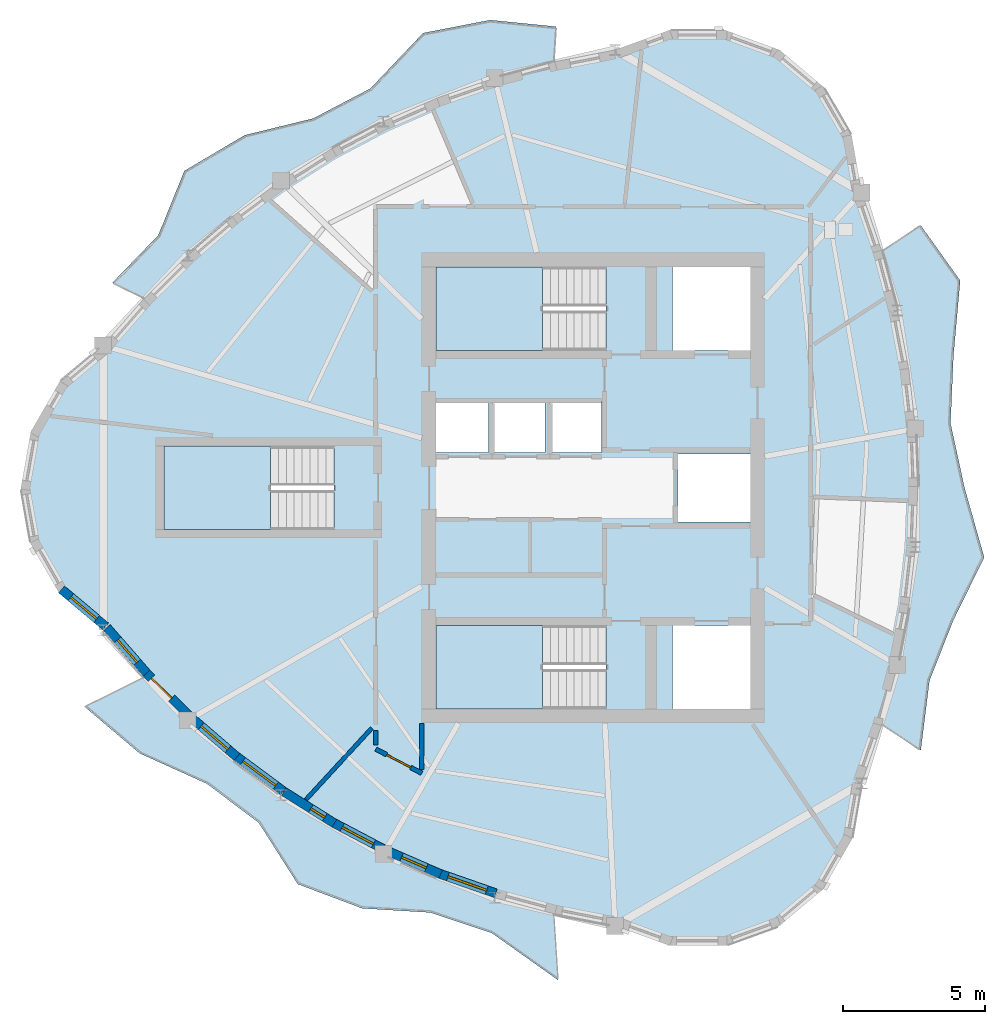
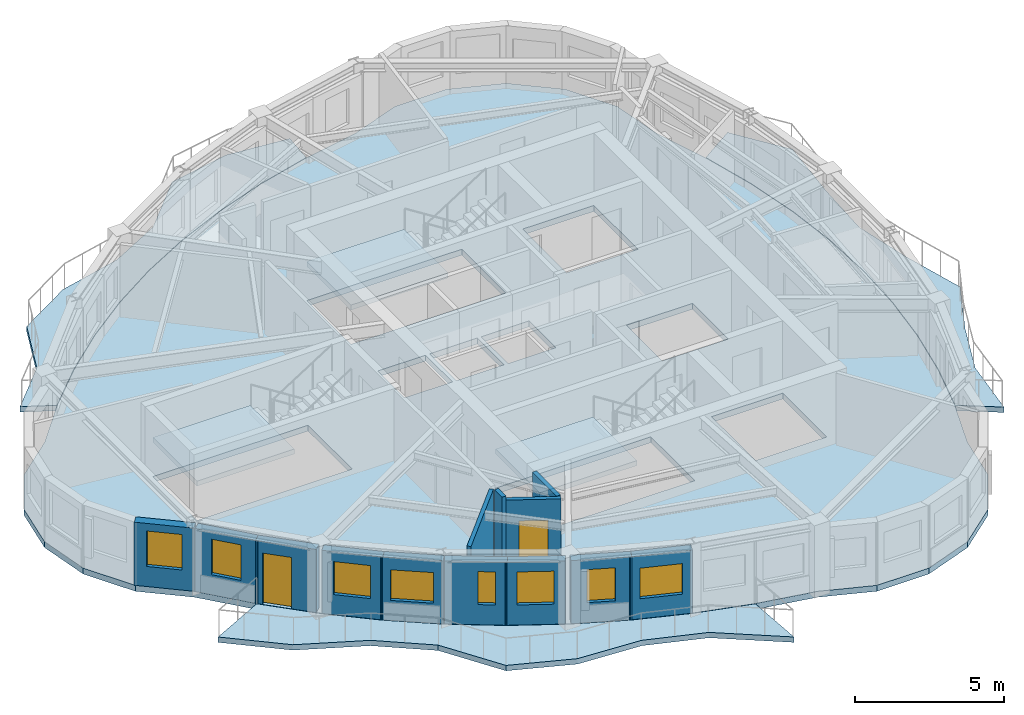
# One storey, part 2 of 11: 13 walls, 8 windows, 7 slabs, 2 doors, 10 openings, 3 elements without a shape of their own.
"""IFC4 building model written with IfcOpenShell, lengths in metres."""

from ifc_helpers import new_model, si_unit, direction, frame, frame_2d, origin, place, context, subcontext, project, spatial, polyline, rectangle, outline, extrude, source, transform, mapped, material, layer, layer_set, type_object, element, fill, aggregate, save


model = new_model("IFC4")

# Units and contexts
model_context = context("Model", 3, precision=1e-05, world=origin(), true_north=direction((0.0, 1.0)))
body_context = subcontext(model_context, "Body", "Model", "MODEL_VIEW")
ifc_project = project(units=[si_unit("LENGTHUNIT", "METRE"), si_unit("AREAUNIT", "SQUARE_METRE"), si_unit("VOLUMEUNIT", "CUBIC_METRE"), si_unit("PLANEANGLEUNIT", "RADIAN"), si_unit("MASSUNIT", "GRAM", prefix="KILO")], contexts=[model_context])

# Site, building, storey
site_placement = place(None, origin())
site = spatial("IfcSite", under=ifc_project, at=site_placement, CompositionType="ELEMENT")
building_placement = place(site_placement, origin())
building = spatial("IfcBuilding", under=site, at=building_placement, Name="Qafzar Sky-Pleat Residences", CompositionType="ELEMENT")
storey_placement = place(building_placement, frame((0.0, 0.0, 227.60009765625)))
storey = spatial("IfcBuildingStorey", under=building, at=storey_placement, Name="L68", CompositionType="ELEMENT", Elevation=227.60009765625)

# Slabs
ifc_material_1 = material(Name="Concrete C40/50", Category="concrete")
ifc_layer_1 = layer(ifc_material_1, 0.219970703125)
ifc_layer_set_1 = layer_set([ifc_layer_1], Name="Concrete C40/50")
slab_type_1 = type_object("IfcSlabType", Name="SLAB-BAL-220", PredefinedType="USERDEFINED", material=ifc_layer_set_1)
slab_1_placement = place(storey_placement, frame((0.0, 0.0, -0.22021484375)))
element("IfcSlab", 1, at=slab_1_placement, inside=storey, type_object=slab_type_1, Name="L68 Pleated Stone Balcony 1", ObjectType="BALCONY", PredefinedType="USERDEFINED", context=body_context, shape_type="SweptSolid", body=[
    extrude(outline(polyline([(41.101806640625, 19.736083984375), (41.498779296875, 21.823974609375), (41.737060546875, 23.911865234375), (41.81640625, 26.0), (41.737060546875, 28.088134765625), (41.498779296875, 30.176025390625), (41.101806640625, 32.263916015625), (40.5458984375, 34.3515625), (41.909423828125, 35.25927734375), (43.30126953125, 33.315673828125), (43.063720703125, 30.66015625), (42.9609375, 28.274169921875), (43.454345703125, 26.0), (44.1474609375, 23.54541015625), (43.063720703125, 21.33984375), (42.218505859375, 19.201904296875), (41.909423828125, 16.74072265625), (40.5458984375, 17.6484375), (41.101806640625, 19.736083984375)])), origin(), (0.0, 0.0, 1.0), 0.22021484375),
])
slab_2_placement = place(storey_placement, frame((0.0, 0.0, -0.22021484375)))
element("IfcSlab", 2, at=slab_2_placement, inside=storey, type_object=slab_type_1, Name="L68 Pleated Stone Balcony 2", ObjectType="BALCONY", PredefinedType="USERDEFINED", context=body_context, shape_type="SweptSolid", body=[
    extrude(outline(polyline([(26.873779296875, 40.478515625), (24.8671875, 39.7783203125), (22.939697265625, 38.940673828125), (21.091796875, 37.96533203125), (19.3232421875, 36.8525390625), (17.634033203125, 35.602294921875), (16.0244140625, 34.214599609375), (14.494140625, 32.689208984375), (13.385009765625, 33.23876953125), (15.00341796875, 34.914794921875), (15.924072265625, 37.186279296875), (18.050537109375, 38.4443359375), (20.472900390625, 39.03759765625), (22.489013671875, 40.09375), (24.350341796875, 42.051025390625), (26.7158203125, 42.51025390625), (29.03857421875, 42.276611328125), (28.959716796875, 41.041015625), (26.873779296875, 40.478515625)])), origin(), (0.0, 0.0, 1.0), 0.22021484375),
])
slab_3_placement = place(storey_placement, frame((0.0, 0.0, -0.22021484375)))
element("IfcSlab", 3, at=slab_3_placement, inside=storey, type_object=slab_type_1, Name="L68 Pleated Stone Balcony 3", ObjectType="BALCONY", PredefinedType="USERDEFINED", context=body_context, shape_type="SweptSolid", body=[
    extrude(outline(polyline([(16.0244140625, 17.785400390625), (17.634033203125, 16.397705078125), (19.3232421875, 15.1474609375), (21.091796875, 14.03466796875), (22.939697265625, 13.059326171875), (24.8671875, 12.2216796875), (26.873779296875, 11.521484375), (28.959716796875, 10.958984375), (29.108154296875, 8.6328125), (26.77783203125, 10.287353515625), (24.5927734375, 11.014404296875), (22.197509765625, 11.161376953125), (19.926513671875, 12.01611328125), (18.550048828125, 14.180419921875), (16.725830078125, 15.556396484375), (14.34375, 16.6328125), (12.405517578125, 18.276123046875), (14.494140625, 19.310791015625), (16.0244140625, 17.785400390625)])), origin(), (0.0, 0.0, 1.0), 0.22021484375),
])
ifc_layer_2 = layer(ifc_material_1, 0.239990234375)
ifc_layer_set_2 = layer_set([ifc_layer_2], Name="Concrete C40/50")
slab_type_2 = type_object("IfcSlabType", Name="SLAB-FLR-240", PredefinedType="FLOOR", material=ifc_layer_set_2)
slab_4_placement = place(storey_placement, frame((0.0, 0.0, -0.239990234375)))
element("IfcSlab", 4, at=slab_4_placement, inside=storey, type_object=slab_type_2, Name="L68 Structural Floor Slab", PredefinedType="FLOOR", context=body_context, shape_type="SweptSolid", body=[
    extrude(outline(polyline([(13.054931640625, 31.02294921875), (11.511962890625, 29.728271484375), (10.5048828125, 27.983642578125), (10.155029296875, 26.0), (10.5048828125, 24.016357421875), (11.511962890625, 22.271728515625), (13.054931640625, 20.97705078125), (14.5048828125, 19.31591796875), (16.0341796875, 17.792236328125), (17.642822265625, 16.406005859375), (19.330810546875, 15.15673828125), (21.097900390625, 14.044921875), (22.944091796875, 13.070556640625), (24.869873046875, 12.2333984375), (26.874755859375, 11.533447265625), (28.958984375, 10.970947265625), (31.12255859375, 10.5458984375), (33.015380859375, 9.856689453125), (35.02978515625, 9.856689453125), (36.922607421875, 10.5458984375), (38.465576171875, 11.840576171875), (39.47265625, 13.5849609375), (39.822509765625, 15.568603515625), (40.535888671875, 17.655029296875), (41.0908203125, 19.7412109375), (41.4873046875, 21.827392578125), (41.72509765625, 23.913818359375), (41.804443359375, 26.0), (41.72509765625, 28.086181640625), (41.4873046875, 30.172607421875), (41.0908203125, 32.2587890625), (40.535888671875, 34.344970703125), (39.822509765625, 36.431396484375), (39.47265625, 38.4150390625), (38.465576171875, 40.159423828125), (36.922607421875, 41.4541015625), (35.02978515625, 42.143310546875), (33.015380859375, 42.143310546875), (31.12255859375, 41.4541015625), (28.958984375, 41.029052734375), (26.874755859375, 40.466552734375), (24.869873046875, 39.7666015625), (22.944091796875, 38.929443359375), (21.097900390625, 37.955078125), (19.330810546875, 36.84326171875), (17.642822265625, 35.593994140625), (16.0341796875, 34.207763671875), (14.5048828125, 32.68408203125), (13.054931640625, 31.02294921875)]), holes=[polyline([(30.797119140625, 21.14990234375), (24.800048828125, 21.14990234375), (24.800048828125, 18.199951171875), (30.797119140625, 18.199951171875), (30.797119140625, 21.14990234375)]), polyline([(30.797119140625, 33.800048828125), (24.800048828125, 33.800048828125), (24.800048828125, 30.85009765625), (30.797119140625, 30.85009765625), (30.797119140625, 33.800048828125)]), polyline([(21.197021484375, 27.47509765625), (15.199951171875, 27.47509765625), (15.199951171875, 24.52490234375), (21.197021484375, 24.52490234375), (21.197021484375, 27.47509765625)]), polyline([(24.800048828125, 27.25), (26.64990234375, 27.25), (26.64990234375, 29.050048828125), (24.800048828125, 29.050048828125), (24.800048828125, 27.25)]), polyline([(26.800048828125, 27.25), (28.64990234375, 27.25), (28.64990234375, 29.050048828125), (26.800048828125, 29.050048828125), (26.800048828125, 27.25)]), polyline([(28.800048828125, 27.25), (30.64990234375, 27.25), (30.64990234375, 29.050048828125), (28.800048828125, 29.050048828125), (28.800048828125, 27.25)]), polyline([(33.14990234375, 18.199951171875), (35.89990234375, 18.199951171875), (35.89990234375, 21.14990234375), (33.14990234375, 21.14990234375), (33.14990234375, 18.199951171875)]), polyline([(33.14990234375, 30.85009765625), (35.89990234375, 30.85009765625), (35.89990234375, 33.800048828125), (33.14990234375, 33.800048828125), (33.14990234375, 30.85009765625)]), polyline([(33.35009765625, 24.800048828125), (35.89990234375, 24.800048828125), (35.89990234375, 27.199951171875), (33.35009765625, 27.199951171875), (33.35009765625, 24.800048828125)])]), origin(), (0.0, 0.0, 1.0), 0.239990234375),
])

# Stair, slab
stair_type = type_object("IfcStairType", Name="STAIR-H320", PredefinedType="HALF_TURN_STAIR", material=ifc_material_1)
stair_1_placement = place(storey_placement, origin())
stair_1 = element("IfcStair", 5, at=stair_1_placement, inside=storey, type_object=stair_type, Name="L68 Protected Exit Stair ST1", PredefinedType="HALF_TURN_STAIR")
ifc_layer_3 = layer(ifc_material_1, 0.199951171875)
ifc_layer_set_3 = layer_set([ifc_layer_3], Name="Concrete C40/50")
slab_type_3 = type_object("IfcSlabType", Name="SLAB-LANDING-200", PredefinedType="LANDING", material=ifc_layer_set_3)
slab_5_placement = place(storey_placement, frame((0.0, 0.0, 1.39990234375)))
slab_5 = element("IfcSlab", 6, at=slab_5_placement, type_object=slab_type_3, Name="ST1 landing 1", PredefinedType="LANDING", context=body_context, shape_type="SweptSolid", body=[
    extrude(outline(polyline([(28.56005859375, 21.14990234375), (24.800048828125, 21.14990234375), (24.800048828125, 18.199951171875), (28.56005859375, 18.199951171875), (28.56005859375, 21.14990234375)])), origin(), (0.0, 0.0, 1.0), 0.199951171875),
])
aggregate(stair_1, [slab_5])

stair_2_placement = place(storey_placement, origin())
stair_2 = element("IfcStair", 7, at=stair_2_placement, inside=storey, type_object=stair_type, Name="L68 Protected Exit Stair ST2", PredefinedType="HALF_TURN_STAIR")
slab_6_placement = place(storey_placement, frame((0.0, 0.0, 1.39990234375)))
slab_6 = element("IfcSlab", 8, at=slab_6_placement, type_object=slab_type_3, Name="ST2 landing 1", PredefinedType="LANDING", context=body_context, shape_type="SweptSolid", body=[
    extrude(outline(polyline([(28.56005859375, 33.800048828125), (24.800048828125, 33.800048828125), (24.800048828125, 30.85009765625), (28.56005859375, 30.85009765625), (28.56005859375, 33.800048828125)])), origin(), (0.0, 0.0, 1.0), 0.199951171875),
])
aggregate(stair_2, [slab_6])

stair_3_placement = place(storey_placement, origin())
stair_3 = element("IfcStair", 9, at=stair_3_placement, inside=storey, type_object=stair_type, Name="L68 Protected Exit Stair ST3", PredefinedType="HALF_TURN_STAIR")
slab_7_placement = place(storey_placement, frame((0.0, 0.0, 1.39990234375)))
slab_7 = element("IfcSlab", 10, at=slab_7_placement, type_object=slab_type_3, Name="ST3 landing 1", PredefinedType="LANDING", context=body_context, shape_type="SweptSolid", body=[
    extrude(outline(polyline([(18.9599609375, 27.47509765625), (15.199951171875, 27.47509765625), (15.199951171875, 24.52490234375), (18.9599609375, 24.52490234375), (18.9599609375, 27.47509765625)])), origin(), (0.0, 0.0, 1.0), 0.199951171875),
])
aggregate(stair_3, [slab_7])

# Wall, opening, door
ifc_material_2 = material(Name="Acoustic gypsum plasterboard partition", Category="gypsum")
ifc_layer_4 = layer(ifc_material_2, 0.159912109375)
ifc_layer_set_4 = layer_set([ifc_layer_4], Name="Acoustic gypsum plasterboard partition")
wall_type_1 = type_object("IfcWallType", Name="PART-COR-160", PredefinedType="PARTITIONING", material=ifc_layer_set_4)
wall_1_placement = place(storey_placement, frame((22.679931640625, 16.782958984375, 0.0), z_axis=(0.0, 0.0, 1.0), x_axis=(0.884403090344, -0.466723873174, 0.0)))
wall_1 = element("IfcWall", 11, at=wall_1_placement, inside=storey, type_object=wall_type_1, Name="L68 Partition Wall PART-L68-PW-008", PredefinedType="PARTITIONING", context=body_context, shape_type="SweptSolid", body=[
    extrude(rectangle(XDim=1.831787109375, YDim=0.159912109375, at=frame_2d((0.916015625, 0.0))), origin(), (0.0, 0.0, 1.0), 2.9599609375),
])
opening_1_placement = place(wall_1_placement, frame((0.435791015625, 0.0, 0.0)))
opening_1 = element("IfcOpeningElement", 12, at=opening_1_placement, cuts=wall_1, Name="Opening ID-06", PredefinedType="OPENING", context=body_context, shape_type="SweptSolid", body=[
    extrude(rectangle(XDim=0.9599609375, YDim=2.10009765625, at=frame_2d((0.47998046875, 1.050048828125))), frame((0.0, 0.08984375, 0.0), z_axis=(0.0, -1.0, 0.0), x_axis=(1.0, 0.0, 0.0)), (0.0, 0.0, 1.0), 0.179931640625),
])
ifc_material_3 = material(Name="Timber-faced fire door", Category="wood")
door_type_1 = type_object("IfcDoorType", Name="DR-STD-960", OperationType="NOTDEFINED", PredefinedType="DOOR", material=ifc_material_3)
shared_shape_1 = source(origin(), body_context, "Body", "SweptSolid", [
    extrude(rectangle(XDim=0.9599609375, YDim=2.10009765625, at=frame_2d((0.47998046875, 1.050048828125))), frame((0.0, 0.02490234375, 0.0), z_axis=(0.0, -1.0, 0.0), x_axis=(1.0, 0.0, 0.0)), (0.0, 0.0, 1.0), 0.050048828125),
])
door_1_placement = place(opening_1_placement, origin())
door_1 = element("IfcDoor", 13, at=door_1_placement, inside=storey, type_object=door_type_1, Name="L68 Scholar Co-Working Workspace Door", OperationType="SINGLE_SWING_RIGHT", OverallHeight=2.10009765625, OverallWidth=0.9599609375, PredefinedType="DOOR", context=body_context, shape_type="MappedRepresentation", body=[
    mapped(shared_shape_1, transform((0.0, 0.0, 0.0), x_axis=(1.0, 0.0, 0.0), y_axis=(0.0, 1.0, 0.0), z_axis=(0.0, 0.0, 1.0), scale=1.0)),
])
fill(opening_1, door_1)

# Walls
wall_2_placement = place(storey_placement, frame((24.300048828125, 16.068603515625, 0.0), z_axis=(0.0, 0.0, 1.0), x_axis=(0.0, 1.0, 0.0)))
element("IfcWall", 14, at=wall_2_placement, inside=storey, type_object=wall_type_1, Name="L68 Partition Wall PART-L68-PW-021", PredefinedType="PARTITIONING", context=body_context, shape_type="SweptSolid", body=[
    extrude(rectangle(XDim=1.623291015625, YDim=0.159912109375, at=frame_2d((0.8115234375, 0.0))), origin(), (0.0, 0.0, 1.0), 2.9599609375),
])
wall_3_placement = place(storey_placement, frame((22.679931640625, 16.923583984375, 0.0), z_axis=(0.0, 0.0, 1.0), x_axis=(0.0, 1.0, 0.0)))
element("IfcWall", 15, at=wall_3_placement, inside=storey, type_object=wall_type_1, Name="L68 Partition Wall PART-L68-PW-028", PredefinedType="PARTITIONING", context=body_context, shape_type="SweptSolid", body=[
    extrude(rectangle(XDim=0.5126953125, YDim=0.159912109375, at=frame_2d((0.25634765625, 0.0))), origin(), (0.0, 0.0, 1.0), 2.9599609375),
])
ifc_layer_5 = layer(ifc_material_2, 0.14501953125)
ifc_layer_set_5 = layer_set([ifc_layer_5], Name="Acoustic gypsum plasterboard partition")
wall_type_2 = type_object("IfcWallType", Name="PART-UNIT-145", PredefinedType="PARTITIONING", material=ifc_layer_set_5)
wall_4_placement = place(storey_placement, frame((20.21728515625, 15.001953125, 0.0), z_axis=(0.0, 0.0, 1.0), x_axis=(0.677579120291, 0.735449886631, 0.0)))
element("IfcWall", 16, at=wall_4_placement, inside=storey, type_object=wall_type_2, Name="L68 Partition Wall PART-L68-PW-016", PredefinedType="PARTITIONING", context=body_context, shape_type="SweptSolid", body=[
    extrude(rectangle(XDim=3.429931640625, YDim=0.14501953125, at=frame_2d((1.71484375, 0.0))), origin(), (0.0, 0.0, 1.0), 2.9599609375),
])

# Wall, opening, window
ifc_material_4 = material(Name="Precast concrete C40/50 with honed Riyadh limestone", Category="concrete")
ifc_layer_6 = layer(ifc_material_4, 0.320068359375)
ifc_layer_set_6 = layer_set([ifc_layer_6], Name="Precast concrete C40/50 with honed Riyadh limestone")
wall_type_3 = type_object("IfcWallType", Name="WALL-EXT-320", PredefinedType="SOLIDWALL", material=ifc_layer_set_6)
wall_5_placement = place(storey_placement, frame((11.585693359375, 22.418701171875, 0.0), z_axis=(0.0, 0.0, 1.0), x_axis=(0.766099948115, -0.642721455608, 0.0)))
wall_5 = element("IfcWall", 17, at=wall_5_placement, inside=storey, type_object=wall_type_3, Name="L68 Limestone Facade Wall 6", PredefinedType="SOLIDWALL", context=body_context, shape_type="SweptSolid", body=[
    extrude(rectangle(XDim=2.0322265625, YDim=0.320068359375, at=frame_2d((1.01611328125, 0.0))), origin(), (0.0, 0.0, 1.0), 2.579833984375),
])
opening_2_placement = place(wall_5_placement, frame((0.42626953125, 0.0, 0.820068359375)))
opening_2 = element("IfcOpeningElement", 18, at=opening_2_placement, cuts=wall_5, Name="Opening WN-05", PredefinedType="OPENING", context=body_context, shape_type="SweptSolid", body=[
    extrude(rectangle(XDim=1.199951171875, YDim=1.449951171875, at=frame_2d((0.60009765625, 0.72509765625))), frame((0.0, 0.169921875, 0.0), z_axis=(0.0, -1.0, 0.0), x_axis=(1.0, 0.0, 0.0)), (0.0, 0.0, 1.0), 0.340087890625),
])
ifc_material_5 = material(Name="Solar-control low-E glass in bronze aluminium frame", Category="glass")
window_type_1 = type_object("IfcWindowType", Name="WIN-05", PartitioningType="SINGLE_PANEL", PredefinedType="WINDOW", material=ifc_material_5)
shared_shape_2 = source(origin(), body_context, "Body", "SweptSolid", [
    extrude(rectangle(XDim=1.199951171875, YDim=1.449951171875, at=frame_2d((0.60009765625, 0.72509765625))), frame((0.0, 0.030029296875, 0.0), z_axis=(0.0, -1.0, 0.0), x_axis=(1.0, 0.0, 0.0)), (0.0, 0.0, 1.0), 0.06005859375),
])
window_1_placement = place(opening_2_placement, origin())
window_1 = element("IfcWindow", 19, at=window_1_placement, inside=storey, type_object=window_type_1, Name="L68 Punched Facade Window 06", OverallHeight=1.449951171875, OverallWidth=1.199951171875, PartitioningType="SINGLE_PANEL", PredefinedType="WINDOW", context=body_context, shape_type="MappedRepresentation", body=[
    mapped(shared_shape_2, transform((0.0, 0.0, 0.0), x_axis=(1.0, 0.0, 0.0), y_axis=(0.0, 1.0, 0.0), z_axis=(0.0, 0.0, 1.0), scale=1.0)),
])
fill(opening_2, window_1)

wall_6_placement = place(storey_placement, frame((13.188720703125, 21.0673828125, 0.0), z_axis=(0.0, 0.0, 1.0), x_axis=(0.657539914165, -0.753419711236, 0.0)))
wall_6 = element("IfcWall", 20, at=wall_6_placement, inside=storey, type_object=wall_type_3, Name="L68 Limestone Facade Wall 7", PredefinedType="SOLIDWALL", context=body_context, shape_type="SweptSolid", body=[
    extrude(rectangle(XDim=2.222900390625, YDim=0.320068359375, at=frame_2d((1.111328125, 0.0))), origin(), (0.0, 0.0, 1.0), 2.579833984375),
])
opening_3_placement = place(wall_6_placement, frame((0.576416015625, 0.0, 0.820068359375)))
opening_3 = element("IfcOpeningElement", 21, at=opening_3_placement, cuts=wall_6, Name="Opening WN-06", PredefinedType="OPENING", context=body_context, shape_type="SweptSolid", body=[
    extrude(rectangle(XDim=1.050048828125, YDim=1.449951171875, at=frame_2d((0.52490234375, 0.72509765625))), frame((0.0, 0.169921875, 0.0), z_axis=(0.0, -1.0, 0.0), x_axis=(1.0, 0.0, 0.0)), (0.0, 0.0, 1.0), 0.340087890625),
])
window_type_2 = type_object("IfcWindowType", Name="WIN-06", PartitioningType="SINGLE_PANEL", PredefinedType="WINDOW", material=ifc_material_5)
shared_shape_3 = source(origin(), body_context, "Body", "SweptSolid", [
    extrude(rectangle(XDim=1.050048828125, YDim=1.449951171875, at=frame_2d((0.52490234375, 0.72509765625))), frame((0.0, 0.030029296875, 0.0), z_axis=(0.0, -1.0, 0.0), x_axis=(1.0, 0.0, 0.0)), (0.0, 0.0, 1.0), 0.06005859375),
])
window_2_placement = place(opening_3_placement, origin())
window_2 = element("IfcWindow", 22, at=window_2_placement, inside=storey, type_object=window_type_2, Name="L68 Punched Facade Window 07", OverallHeight=1.449951171875, OverallWidth=1.050048828125, PartitioningType="SINGLE_PANEL", PredefinedType="WINDOW", context=body_context, shape_type="MappedRepresentation", body=[
    mapped(shared_shape_3, transform((0.0, 0.0, 0.0), x_axis=(1.0, 0.0, 0.0), y_axis=(0.0, 1.0, 0.0), z_axis=(0.0, 0.0, 1.0), scale=1.0)),
])
fill(opening_3, window_2)

# Wall, opening, door
wall_7_placement = place(storey_placement, frame((14.591064453125, 19.456298828125, 0.0), z_axis=(0.0, 0.0, 1.0), x_axis=(0.708380322839, -0.705830941667, 0.0)))
wall_7 = element("IfcWall", 23, at=wall_7_placement, inside=storey, type_object=wall_type_3, Name="L68 Limestone Facade Wall 8", PredefinedType="SOLIDWALL", context=body_context, shape_type="SweptSolid", body=[
    extrude(rectangle(XDim=2.10693359375, YDim=0.320068359375, at=frame_2d((1.053466796875, 0.0))), origin(), (0.0, 0.0, 1.0), 2.579833984375),
])
opening_4_placement = place(wall_7_placement, frame((0.239990234375, 0.0, 0.0)))
opening_4 = element("IfcOpeningElement", 24, at=opening_4_placement, cuts=wall_7, Name="Opening ED-05", PredefinedType="OPENING", context=body_context, shape_type="SweptSolid", body=[
    extrude(rectangle(XDim=1.0, YDim=2.10009765625, at=frame_2d((0.5, 1.050048828125))), frame((0.0, 0.169921875, 0.0), z_axis=(0.0, -1.0, 0.0), x_axis=(1.0, 0.0, 0.0)), (0.0, 0.0, 1.0), 0.340087890625),
])
ifc_material_6 = material(Name="Glazed bronze aluminium door", Category="aluminium")
door_type_2 = type_object("IfcDoorType", Name="DR-BAL-1000", OperationType="NOTDEFINED", PredefinedType="DOOR", material=ifc_material_6)
shared_shape_4 = source(origin(), body_context, "Body", "SweptSolid", [
    extrude(rectangle(XDim=1.0, YDim=2.10009765625, at=frame_2d((0.5, 1.050048828125))), frame((0.0, 0.02490234375, 0.0), z_axis=(0.0, -1.0, 0.0), x_axis=(1.0, 0.0, 0.0)), (0.0, 0.0, 1.0), 0.050048828125),
])
door_2_placement = place(opening_4_placement, origin())
door_2 = element("IfcDoor", 25, at=door_2_placement, inside=storey, type_object=door_type_2, Name="L68 Glazed Balcony Door 3", OperationType="SINGLE_SWING_LEFT", OverallHeight=2.10009765625, OverallWidth=1.0, PredefinedType="DOOR", context=body_context, shape_type="MappedRepresentation", body=[
    mapped(shared_shape_4, transform((0.0, 0.0, 0.0), x_axis=(1.0, 0.0, 0.0), y_axis=(0.0, 1.0, 0.0), z_axis=(0.0, 0.0, 1.0), scale=1.0)),
])
fill(opening_4, door_2)

# Wall, opening, window
wall_8_placement = place(storey_placement, frame((16.206787109375, 17.854736328125, 0.0), z_axis=(0.0, 0.0, 1.0), x_axis=(0.757440107321, -0.652904651402, 0.0)))
wall_8 = element("IfcWall", 26, at=wall_8_placement, inside=storey, type_object=wall_type_3, Name="L68 Limestone Facade Wall 9", PredefinedType="SOLIDWALL", context=body_context, shape_type="SweptSolid", body=[
    extrude(rectangle(XDim=2.071533203125, YDim=0.320068359375, at=frame_2d((1.03564453125, 0.0))), origin(), (0.0, 0.0, 1.0), 2.579833984375),
])
opening_5_placement = place(wall_8_placement, frame((0.40576171875, 0.0, 0.820068359375)))
opening_5 = element("IfcOpeningElement", 27, at=opening_5_placement, cuts=wall_8, Name="Opening WN-11", PredefinedType="OPENING", context=body_context, shape_type="SweptSolid", body=[
    extrude(rectangle(XDim=1.25, YDim=1.35009765625, at=frame_2d((0.625, 0.675048828125))), frame((0.0, 0.169921875, 0.0), z_axis=(0.0, -1.0, 0.0), x_axis=(1.0, 0.0, 0.0)), (0.0, 0.0, 1.0), 0.340087890625),
])
window_type_3 = type_object("IfcWindowType", Name="WIN-11", PartitioningType="SINGLE_PANEL", PredefinedType="WINDOW", material=ifc_material_5)
shared_shape_5 = source(origin(), body_context, "Body", "SweptSolid", [
    extrude(rectangle(XDim=1.25, YDim=1.35009765625, at=frame_2d((0.625, 0.675048828125))), frame((0.0, 0.030029296875, 0.0), z_axis=(0.0, -1.0, 0.0), x_axis=(1.0, 0.0, 0.0)), (0.0, 0.0, 1.0), 0.06005859375),
])
window_3_placement = place(opening_5_placement, origin())
window_3 = element("IfcWindow", 28, at=window_3_placement, inside=storey, type_object=window_type_3, Name="L68 Punched Facade Window 09", OverallHeight=1.35009765625, OverallWidth=1.25, PartitioningType="SINGLE_PANEL", PredefinedType="WINDOW", context=body_context, shape_type="MappedRepresentation", body=[
    mapped(shared_shape_5, transform((0.0, 0.0, 0.0), x_axis=(1.0, 0.0, 0.0), y_axis=(0.0, 1.0, 0.0), z_axis=(0.0, 0.0, 1.0), scale=1.0)),
])
fill(opening_5, window_3)

wall_9_placement = place(storey_placement, frame((17.70751953125, 16.55712890625, 0.0), z_axis=(0.0, 0.0, 1.0), x_axis=(0.803843001641, -0.594841515627, 0.0)))
wall_9 = element("IfcWall", 29, at=wall_9_placement, inside=storey, type_object=wall_type_3, Name="L68 Limestone Facade Wall 10", PredefinedType="SOLIDWALL", context=body_context, shape_type="SweptSolid", body=[
    extrude(rectangle(XDim=2.117919921875, YDim=0.320068359375, at=frame_2d((1.05908203125, 0.0))), origin(), (0.0, 0.0, 1.0), 2.579833984375),
])
opening_6_placement = place(wall_9_placement, frame((0.343994140625, 0.0, 0.820068359375)))
opening_6 = element("IfcOpeningElement", 30, at=opening_6_placement, cuts=wall_9, Name="Opening WN-15", PredefinedType="OPENING", context=body_context, shape_type="SweptSolid", body=[
    extrude(rectangle(XDim=1.449951171875, YDim=1.25, at=frame_2d((0.72509765625, 0.625))), frame((0.0, 0.169921875, 0.0), z_axis=(0.0, -1.0, 0.0), x_axis=(1.0, 0.0, 0.0)), (0.0, 0.0, 1.0), 0.340087890625),
])
window_type_4 = type_object("IfcWindowType", Name="WIN-15", PartitioningType="SINGLE_PANEL", PredefinedType="WINDOW", material=ifc_material_5)
shared_shape_6 = source(origin(), body_context, "Body", "SweptSolid", [
    extrude(rectangle(XDim=1.449951171875, YDim=1.25, at=frame_2d((0.72509765625, 0.625))), frame((0.0, 0.030029296875, 0.0), z_axis=(0.0, -1.0, 0.0), x_axis=(1.0, 0.0, 0.0)), (0.0, 0.0, 1.0), 0.06005859375),
])
window_4_placement = place(opening_6_placement, origin())
window_4 = element("IfcWindow", 31, at=window_4_placement, inside=storey, type_object=window_type_4, Name="L68 Punched Facade Window 10", OverallHeight=1.25, OverallWidth=1.449951171875, PartitioningType="SINGLE_PANEL", PredefinedType="WINDOW", context=body_context, shape_type="MappedRepresentation", body=[
    mapped(shared_shape_6, transform((0.0, 0.0, 0.0), x_axis=(1.0, 0.0, 0.0), y_axis=(0.0, 1.0, 0.0), z_axis=(0.0, 0.0, 1.0), scale=1.0)),
])
fill(opening_6, window_4)

wall_10_placement = place(storey_placement, frame((19.432861328125, 15.281494140625, 0.0), z_axis=(0.0, 0.0, 1.0), x_axis=(0.84640512015, -0.532539550253, 0.0)))
wall_10 = element("IfcWall", 32, at=wall_10_placement, inside=storey, type_object=wall_type_3, Name="L68 Limestone Facade Wall 11", PredefinedType="SOLIDWALL", context=body_context, shape_type="SweptSolid", body=[
    extrude(rectangle(XDim=2.105712890625, YDim=0.320068359375, at=frame_2d((1.052734375, 0.0))), origin(), (0.0, 0.0, 1.0), 2.579833984375),
])
opening_7_placement = place(wall_10_placement, frame((1.126708984375, 0.0, 0.820068359375)))
opening_7 = element("IfcOpeningElement", 33, at=opening_7_placement, cuts=wall_10, Name="Opening WN-17", PredefinedType="OPENING", context=body_context, shape_type="SweptSolid", body=[
    extrude(rectangle(XDim=0.580078125, YDim=1.35009765625, at=frame_2d((0.2900390625, 0.675048828125))), frame((0.0, 0.169921875, 0.0), z_axis=(0.0, -1.0, 0.0), x_axis=(1.0, 0.0, 0.0)), (0.0, 0.0, 1.0), 0.340087890625),
])
window_type_5 = type_object("IfcWindowType", Name="WIN-17", PartitioningType="SINGLE_PANEL", PredefinedType="WINDOW", material=ifc_material_5)
shared_shape_7 = source(origin(), body_context, "Body", "SweptSolid", [
    extrude(rectangle(XDim=0.580078125, YDim=1.35009765625, at=frame_2d((0.2900390625, 0.675048828125))), frame((0.0, 0.030029296875, 0.0), z_axis=(0.0, -1.0, 0.0), x_axis=(1.0, 0.0, 0.0)), (0.0, 0.0, 1.0), 0.06005859375),
])
window_5_placement = place(opening_7_placement, origin())
window_5 = element("IfcWindow", 34, at=window_5_placement, inside=storey, type_object=window_type_5, Name="L68 Punched Facade Window 11-2", OverallHeight=1.35009765625, OverallWidth=0.580078125, PartitioningType="SINGLE_PANEL", PredefinedType="WINDOW", context=body_context, shape_type="MappedRepresentation", body=[
    mapped(shared_shape_7, transform((0.0, 0.0, 0.0), x_axis=(1.0, 0.0, 0.0), y_axis=(0.0, 1.0, 0.0), z_axis=(0.0, 0.0, 1.0), scale=1.0)),
])
fill(opening_7, window_5)

wall_11_placement = place(storey_placement, frame((21.138916015625, 14.2041015625, 0.0), z_axis=(0.0, 0.0, 1.0), x_axis=(0.884376501522, -0.466774253312, 0.0)))
wall_11 = element("IfcWall", 35, at=wall_11_placement, inside=storey, type_object=wall_type_3, Name="L68 Limestone Facade Wall 12", PredefinedType="SOLIDWALL", context=body_context, shape_type="SweptSolid", body=[
    extrude(rectangle(XDim=2.03564453125, YDim=0.320068359375, at=frame_2d((1.017822265625, 0.0))), origin(), (0.0, 0.0, 1.0), 2.579833984375),
])
opening_8_placement = place(wall_11_placement, frame((0.39794921875, 0.0, 0.820068359375)))
opening_8 = element("IfcOpeningElement", 36, at=opening_8_placement, cuts=wall_11, Name="Opening WN-11", PredefinedType="OPENING", context=body_context, shape_type="SweptSolid", body=[
    extrude(rectangle(XDim=1.25, YDim=1.35009765625, at=frame_2d((0.625, 0.675048828125))), frame((0.0, 0.169921875, 0.0), z_axis=(0.0, -1.0, 0.0), x_axis=(1.0, 0.0, 0.0)), (0.0, 0.0, 1.0), 0.340087890625),
])
window_6_placement = place(opening_8_placement, origin())
window_6 = element("IfcWindow", 37, at=window_6_placement, inside=storey, type_object=window_type_3, Name="L68 Punched Facade Window 12", OverallHeight=1.35009765625, OverallWidth=1.25, PartitioningType="SINGLE_PANEL", PredefinedType="WINDOW", context=body_context, shape_type="MappedRepresentation", body=[
    mapped(shared_shape_5, transform((0.0, 0.0, 0.0), x_axis=(1.0, 0.0, 0.0), y_axis=(0.0, 1.0, 0.0), z_axis=(0.0, 0.0, 1.0), scale=1.0)),
])
fill(opening_8, window_6)

wall_12_placement = place(storey_placement, frame((23.090576171875, 13.181396484375, 0.0), z_axis=(0.0, 0.0, 1.0), x_axis=(0.91708521945, -0.398691234249, 0.0)))
wall_12 = element("IfcWall", 38, at=wall_12_placement, inside=storey, type_object=wall_type_3, Name="L68 Limestone Facade Wall 13", PredefinedType="SOLIDWALL", context=body_context, shape_type="SweptSolid", body=[
    extrude(rectangle(XDim=2.047607421875, YDim=0.320068359375, at=frame_2d((1.02392578125, 0.0))), origin(), (0.0, 0.0, 1.0), 2.579833984375),
])
opening_9_placement = place(wall_12_placement, frame((0.543701171875, 0.0, 0.820068359375)))
opening_9 = element("IfcOpeningElement", 39, at=opening_9_placement, cuts=wall_12, Name="Opening WN-12", PredefinedType="OPENING", context=body_context, shape_type="SweptSolid", body=[
    extrude(rectangle(XDim=0.949951171875, YDim=1.35009765625, at=frame_2d((0.47509765625, 0.675048828125))), frame((0.0, 0.169921875, 0.0), z_axis=(0.0, -1.0, 0.0), x_axis=(1.0, 0.0, 0.0)), (0.0, 0.0, 1.0), 0.340087890625),
])
window_type_6 = type_object("IfcWindowType", Name="WIN-12", PartitioningType="SINGLE_PANEL", PredefinedType="WINDOW", material=ifc_material_5)
shared_shape_8 = source(origin(), body_context, "Body", "SweptSolid", [
    extrude(rectangle(XDim=0.949951171875, YDim=1.35009765625, at=frame_2d((0.47509765625, 0.675048828125))), frame((0.0, 0.030029296875, 0.0), z_axis=(0.0, -1.0, 0.0), x_axis=(1.0, 0.0, 0.0)), (0.0, 0.0, 1.0), 0.06005859375),
])
window_7_placement = place(opening_9_placement, origin())
window_7 = element("IfcWindow", 40, at=window_7_placement, inside=storey, type_object=window_type_6, Name="L68 Punched Facade Window 13", OverallHeight=1.35009765625, OverallWidth=0.949951171875, PartitioningType="SINGLE_PANEL", PredefinedType="WINDOW", context=body_context, shape_type="MappedRepresentation", body=[
    mapped(shared_shape_8, transform((0.0, 0.0, 0.0), x_axis=(1.0, 0.0, 0.0), y_axis=(0.0, 1.0, 0.0), z_axis=(0.0, 0.0, 1.0), scale=1.0)),
])
fill(opening_9, window_7)

wall_13_placement = place(storey_placement, frame((24.88671875, 12.39697265625, 0.0), z_axis=(0.0, 0.0, 1.0), x_axis=(0.944131729267, -0.329568320371, 0.0)))
wall_13 = element("IfcWall", 41, at=wall_13_placement, inside=storey, type_object=wall_type_3, Name="L68 Limestone Facade Wall 14", PredefinedType="SOLIDWALL", context=body_context, shape_type="SweptSolid", body=[
    extrude(rectangle(XDim=2.1416015625, YDim=0.320068359375, at=frame_2d((1.07080078125, 0.0))), origin(), (0.0, 0.0, 1.0), 2.579833984375),
])
opening_10_placement = place(wall_13_placement, frame((0.355712890625, 0.0, 0.820068359375)))
opening_10 = element("IfcOpeningElement", 42, at=opening_10_placement, cuts=wall_13, Name="Opening WN-15", PredefinedType="OPENING", context=body_context, shape_type="SweptSolid", body=[
    extrude(rectangle(XDim=1.449951171875, YDim=1.25, at=frame_2d((0.72509765625, 0.625))), frame((0.0, 0.169921875, 0.0), z_axis=(0.0, -1.0, 0.0), x_axis=(1.0, 0.0, 0.0)), (0.0, 0.0, 1.0), 0.340087890625),
])
window_8_placement = place(opening_10_placement, origin())
window_8 = element("IfcWindow", 43, at=window_8_placement, inside=storey, type_object=window_type_4, Name="L68 Punched Facade Window 14", OverallHeight=1.25, OverallWidth=1.449951171875, PartitioningType="SINGLE_PANEL", PredefinedType="WINDOW", context=body_context, shape_type="MappedRepresentation", body=[
    mapped(shared_shape_6, transform((0.0, 0.0, 0.0), x_axis=(1.0, 0.0, 0.0), y_axis=(0.0, 1.0, 0.0), z_axis=(0.0, 0.0, 1.0), scale=1.0)),
])
fill(opening_10, window_8)

save(model, "model.ifc")
